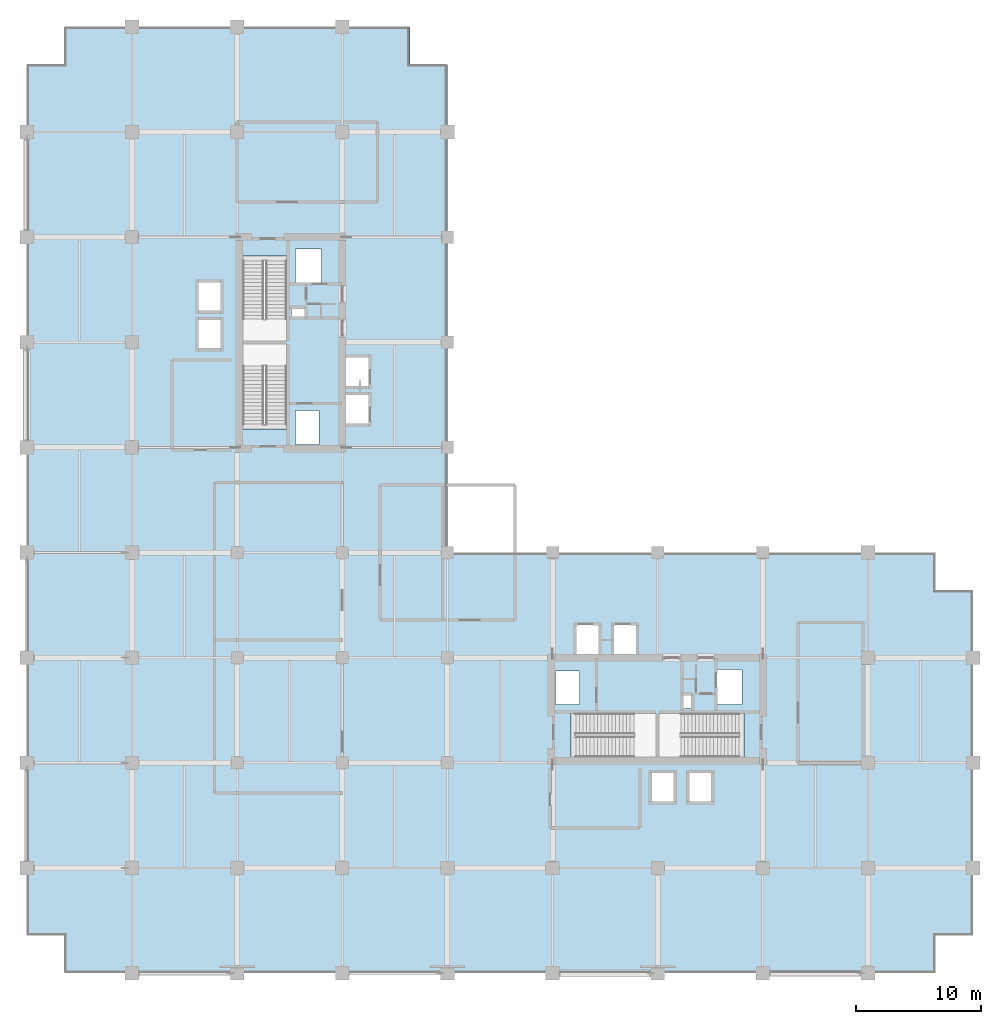
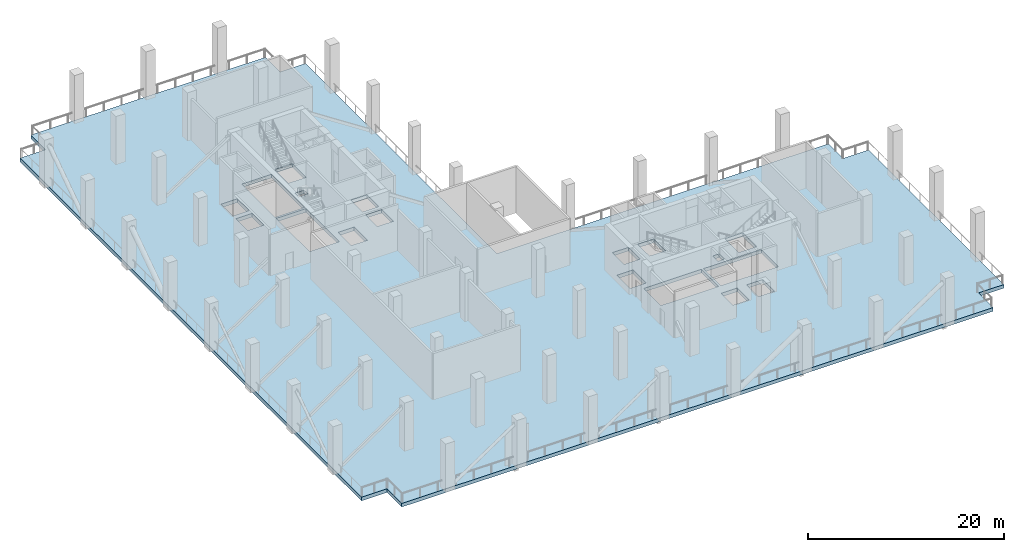
# One storey, part 4 of 18: 1 slab.
"""IFC4 building model written with IfcOpenShell, lengths in metres."""

from ifc_helpers import new_model, si_unit, direction, frame, origin, place, context, subcontext, project, spatial, polyline, outline, extrude, material, layer, layer_set, type_object, element, save


model = new_model("IFC4")

# Units and contexts
model_context = context("Model", 3, precision=1e-05, world=origin(), true_north=direction((0.0, 1.0)))
body_context = subcontext(model_context, "Body", "Model", "MODEL_VIEW")
ifc_project = project(units=[si_unit("LENGTHUNIT", "METRE"), si_unit("AREAUNIT", "SQUARE_METRE"), si_unit("VOLUMEUNIT", "CUBIC_METRE"), si_unit("PLANEANGLEUNIT", "RADIAN"), si_unit("MASSUNIT", "GRAM", prefix="KILO")], contexts=[model_context])

# Site, building, storey
site_placement = place(None, origin())
site = spatial("IfcSite", under=ifc_project, at=site_placement, CompositionType="ELEMENT")
building_placement = place(site_placement, origin())
building = spatial("IfcBuilding", under=site, at=building_placement, Name="Koriwani Terraces Tower", CompositionType="ELEMENT")
storey_placement = place(building_placement, frame((0.0, 0.0, 228.199951171875)))
storey = spatial("IfcBuildingStorey", under=building, at=storey_placement, Name="L56", CompositionType="ELEMENT", Elevation=228.199951171875)

# Slab
ifc_material = material(Name="Concrete C50/60", Category="concrete")
ifc_layer = layer(ifc_material, 0.449951171875, Name="Concrete C50/60")
ifc_layer_set = layer_set([ifc_layer], Name="Concrete C50/60")
slab_type = type_object("IfcSlabType", Name="SLAB_TRANSFER_450", PredefinedType="FLOOR", material=ifc_layer_set)
slab_placement = place(storey_placement, frame((0.0, 0.0, -0.449951171875)))
element("IfcSlab", 1, at=slab_placement, inside=storey, type_object=slab_type, Name="L56 Structural Floor Slab", PredefinedType="FLOOR", context=body_context, shape_type="SweptSolid", body=[
    extrude(outline(polyline([(3.0, 0.0), (72.60009765625, 0.0), (72.60009765625, 3.0), (75.60009765625, 3.0), (75.60009765625, 30.60009765625), (72.60009765625, 30.60009765625), (72.60009765625, 33.60009765625), (33.60009765625, 33.60009765625), (33.60009765625, 72.60009765625), (30.60009765625, 72.60009765625), (30.60009765625, 75.60009765625), (3.0, 75.60009765625), (3.0, 72.60009765625), (0.0, 72.60009765625), (0.0, 3.0), (3.0, 3.0), (3.0, 0.0)]), holes=[polyline([(17.25, 43.4599609375), (20.75, 43.4599609375), (20.75, 50.25), (17.25, 50.25), (17.25, 43.4599609375)]), polyline([(17.25, 50.5), (20.75, 50.5), (20.75, 57.2900390625), (17.25, 57.2900390625), (17.25, 50.5)]), polyline([(43.4599609375, 17.25), (50.25, 17.25), (50.25, 20.75), (43.4599609375, 20.75), (43.4599609375, 17.25)]), polyline([(50.5, 17.25), (57.2900390625, 17.25), (57.2900390625, 20.75), (50.5, 20.75), (50.5, 17.25)]), polyline([(13.64990234375, 49.85009765625), (15.550048828125, 49.85009765625), (15.550048828125, 52.25), (13.64990234375, 52.25), (13.64990234375, 49.85009765625)]), polyline([(13.64990234375, 52.85009765625), (15.550048828125, 52.85009765625), (15.550048828125, 55.25), (13.64990234375, 55.25), (13.64990234375, 52.85009765625)]), polyline([(49.85009765625, 13.64990234375), (51.75, 13.64990234375), (51.75, 16.050048828125), (49.85009765625, 16.050048828125), (49.85009765625, 13.64990234375)]), polyline([(52.85009765625, 13.64990234375), (54.75, 13.64990234375), (54.75, 16.050048828125), (52.85009765625, 16.050048828125), (52.85009765625, 13.64990234375)]), polyline([(25.449951171875, 43.85009765625), (27.35009765625, 43.85009765625), (27.35009765625, 46.25), (25.449951171875, 46.25), (25.449951171875, 43.85009765625)]), polyline([(25.449951171875, 46.85009765625), (27.35009765625, 46.85009765625), (27.35009765625, 49.25), (25.449951171875, 49.25), (25.449951171875, 46.85009765625)]), polyline([(43.85009765625, 25.449951171875), (45.75, 25.449951171875), (45.75, 27.85009765625), (43.85009765625, 27.85009765625), (43.85009765625, 25.449951171875)]), polyline([(46.85009765625, 25.449951171875), (48.75, 25.449951171875), (48.75, 27.85009765625), (46.85009765625, 27.85009765625), (46.85009765625, 25.449951171875)]), polyline([(21.449951171875, 55.050048828125), (23.550048828125, 55.050048828125), (23.550048828125, 57.85009765625), (21.449951171875, 57.85009765625), (21.449951171875, 55.050048828125)]), polyline([(55.050048828125, 21.449951171875), (57.14990234375, 21.449951171875), (57.14990234375, 24.25), (55.050048828125, 24.25), (55.050048828125, 21.449951171875)]), polyline([(21.449951171875, 42.25), (23.35009765625, 42.25), (23.35009765625, 44.949951171875), (21.449951171875, 44.949951171875), (21.449951171875, 42.25)]), polyline([(42.25, 21.449951171875), (44.14990234375, 21.449951171875), (44.14990234375, 24.14990234375), (42.25, 24.14990234375), (42.25, 21.449951171875)]), polyline([(21.14990234375, 52.419921875), (22.219970703125, 52.419921875), (22.219970703125, 53.179931640625), (21.14990234375, 53.179931640625), (21.14990234375, 52.419921875)]), polyline([(52.419921875, 21.14990234375), (53.179931640625, 21.14990234375), (53.179931640625, 22.219970703125), (52.419921875, 22.219970703125), (52.419921875, 21.14990234375)])]), origin(), (0.0, 0.0, 1.0), 0.449951171875),
])

save(model, "model.ifc")
